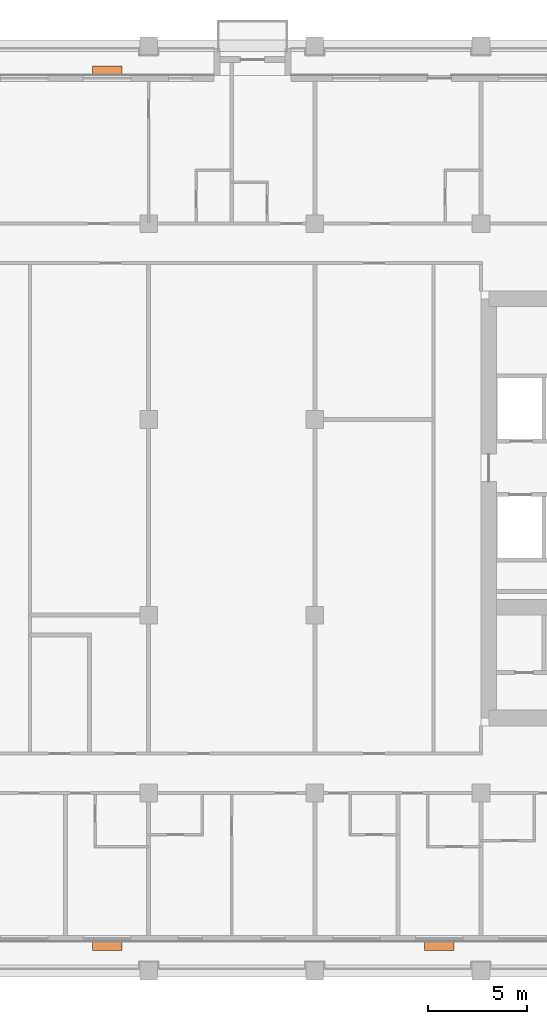
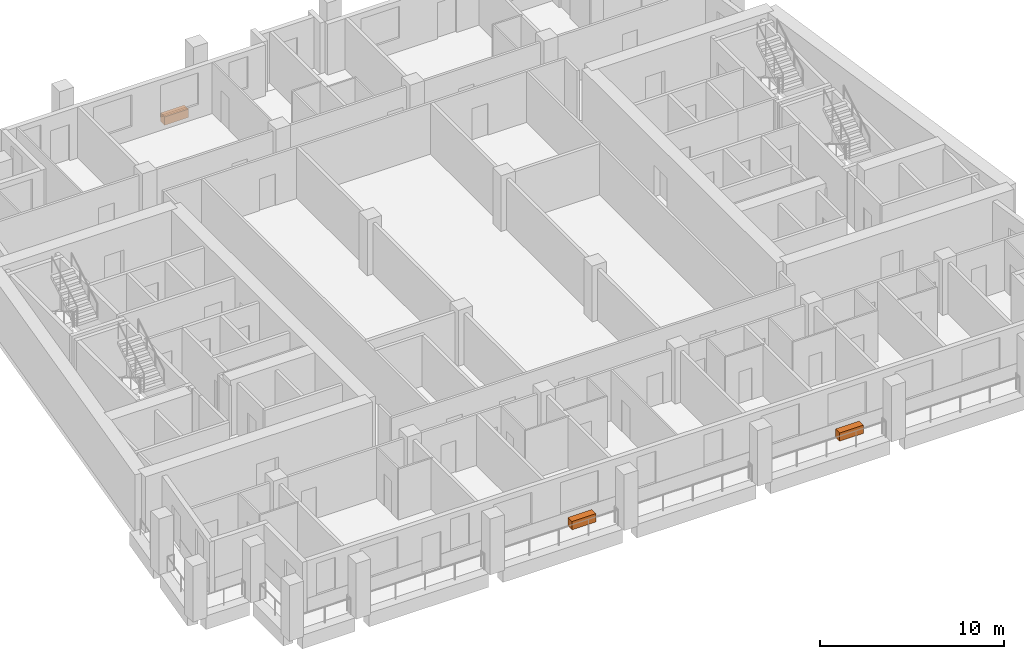
# One storey, part 12 of 12: 3 proxies.
"""IFC4 building model written with IfcOpenShell, lengths in metres."""

from ifc_helpers import new_model, si_unit, direction, frame, origin, origin_2d, place, context, subcontext, project, spatial, rectangle, extrude, element, save


model = new_model("IFC4")

# Units and contexts
model_context = context("Model", 3, precision=1e-05, world=origin(), true_north=direction((0.0, 1.0)))
body_context = subcontext(model_context, "Body", "Model", "MODEL_VIEW")
ifc_project = project(units=[si_unit("LENGTHUNIT", "METRE"), si_unit("AREAUNIT", "SQUARE_METRE"), si_unit("VOLUMEUNIT", "CUBIC_METRE"), si_unit("PLANEANGLEUNIT", "RADIAN"), si_unit("MASSUNIT", "GRAM", prefix="KILO")], contexts=[model_context])

# Site, building, storey
site_placement = place(None, origin())
site = spatial("IfcSite", under=ifc_project, at=site_placement, CompositionType="ELEMENT")
building_placement = place(site_placement, origin())
building = spatial("IfcBuilding", under=site, at=building_placement, Name="Candeia Pilgrim Tower and Theatre", CompositionType="ELEMENT")
storey_placement = place(building_placement, frame((0.0, 0.0, 228.10009765625)))
storey = spatial("IfcBuildingStorey", under=building, at=storey_placement, Name="L55", CompositionType="ELEMENT", Elevation=228.10009765625)

# Proxies
for number, where, z_axis, x_axis, name in (
    (1, (107.10009765625, 99.2548828125, 0.0), (0.0, 0.0, 1.0), (1.0, 0.0, 0.0), "Planter"),
    (2, (123.89990234375, 99.2548828125, 0.0), (0.0, 0.0, 1.0), (1.0, 0.0, 0.0), "Planter"),
    (3, (107.10009765625, 143.544921875, 0.0), (0.0, 0.0, 1.0), (-1.0, 0.0, 0.0), "Planter"),
):
    element("IfcBuildingElementProxy", number, at=place(storey_placement, frame(where, z_axis=z_axis, x_axis=x_axis)), inside=storey, Name=name, ObjectType="PLANTER", PredefinedType="USERDEFINED", context=body_context, shape_type="SweptSolid", body=[
        extrude(rectangle(XDim=1.5, YDim=0.449951171875, at=origin_2d()), origin(), (0.0, 0.0, 1.0), 0.550048828125),
    ])

save(model, "model.ifc")
